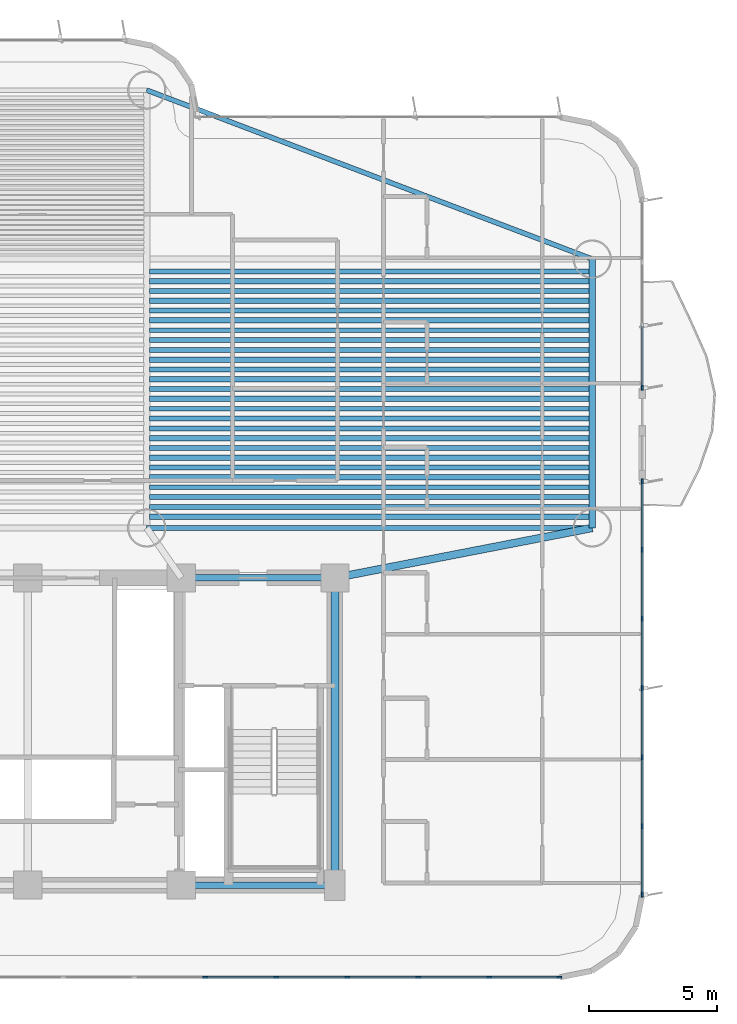
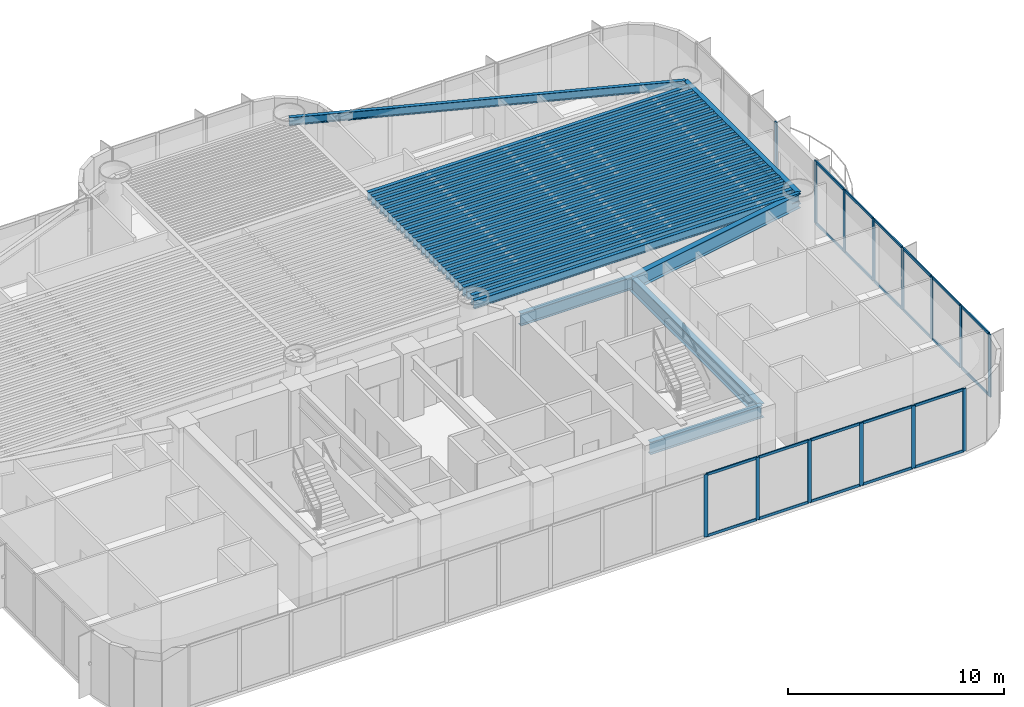
# One storey, part 5 of 19: 37 members, 33 beams, 3 elements without a shape of their own.
"""IFC4 building model written with IfcOpenShell, lengths in metres."""

import ifcopenshell
import ifcopenshell.guid

model = None  # the IFC model being written
_history = None  # IfcOwnerHistory: only IFC2X3 demands one
_inside = {}  # id of a spatial element -> (the spatial element, [elements in it])
_under = {}  # id of a project, library or spatial element -> (it, [spatial elements below it])
_declared = {}  # id of a project -> (the project, [libraries it declares])
_typed = {}  # id of a type object -> (the type object, [elements of that type])
_made_of = {}  # id of a material, layer set ... -> (it, [elements and type objects made of it])


def new_model(schema):
    """Start an empty IFC model of exactly this schema.

    Asked for "IFC4X3", IfcOpenShell would pick the latest addendum, in which some entities
    have other attributes; the version numbers below select the first issue.
    IFC2X3 requires an IfcOwnerHistory on every rooted entity: one is made here for all.
    """
    global model, _history
    if schema == "IFC4X3":
        model = ifcopenshell.file(schema_version=(4, 3, 0, 0))
    else:
        model = ifcopenshell.file(schema=schema)
    _inside.clear()
    _under.clear()
    _declared.clear()
    _typed.clear()
    _made_of.clear()
    _history = None
    if model.schema == "IFC2X3":
        org = make("IfcOrganization", Name="unknown")
        user = make(
            "IfcPersonAndOrganization",
            ThePerson=make("IfcPerson", FamilyName="unknown"),
            TheOrganization=org,
        )
        app = make(
            "IfcApplication",
            ApplicationDeveloper=org,
            Version="unknown",
            ApplicationFullName="unknown",
            ApplicationIdentifier="unknown",
        )
        _history = make(
            "IfcOwnerHistory",
            OwningUser=user,
            OwningApplication=app,
            ChangeAction="ADDED",
            CreationDate=0,
        )
    return model


def make(cls, **values):
    """One entity of the class cls with the attributes given. An attribute that is None is left unset."""
    return model.create_entity(
        cls, **{name: value for name, value in values.items() if value is not None}
    )


def rooted(cls, **values):
    """An entity with a GlobalId (a new one), such as an element, a storey or a relation."""
    return make(cls, GlobalId=ifcopenshell.guid.new(), OwnerHistory=_history, **values)


def si_unit(unit_type, name, prefix=None):
    """IfcSIUnit, for example si_unit("LENGTHUNIT", "METRE", prefix="MILLI")."""
    return make("IfcSIUnit", UnitType=unit_type, Prefix=prefix, Name=name)


def assignment(units):
    """IfcUnitAssignment: the units of a project."""
    return None if units is None else make("IfcUnitAssignment", Units=units)


def point(xyz):
    """IfcCartesianPoint."""
    return None if xyz is None else make("IfcCartesianPoint", Coordinates=xyz)


def direction(xyz):
    """IfcDirection."""
    return None if xyz is None else make("IfcDirection", DirectionRatios=xyz)


def frame(location, z_axis=None, x_axis=None):
    """IfcAxis2Placement3D, a coordinate frame: its origin and axes. An axis left out is left unset."""
    return make(
        "IfcAxis2Placement3D",
        Location=point(location),
        Axis=direction(z_axis),
        RefDirection=direction(x_axis),
    )


def frame_2d(location, x_axis=None):
    """IfcAxis2Placement2D, a coordinate frame in the plane: its origin and x axis."""
    return make(
        "IfcAxis2Placement2D", Location=point(location), RefDirection=direction(x_axis)
    )


def origin():
    """The frame at (0, 0, 0) with its axes left unset."""
    return frame((0.0, 0.0, 0.0))


def origin_2d():
    """The frame at (0, 0) in the plane with its x axis left unset."""
    return frame_2d((0.0, 0.0))


def place(relative_to, where):
    """IfcLocalPlacement: puts the frame where relative to a parent placement (None: the world)."""
    return make(
        "IfcLocalPlacement", PlacementRelTo=relative_to, RelativePlacement=where
    )


def context(
    kind, dimensions, precision=None, world=None, true_north=None, identifier=None
):
    """IfcGeometricRepresentationContext, for example the 3D "Model" context."""
    return make(
        "IfcGeometricRepresentationContext",
        ContextIdentifier=identifier,
        ContextType=kind,
        CoordinateSpaceDimension=dimensions,
        Precision=precision,
        WorldCoordinateSystem=world,
        TrueNorth=true_north,
    )


def subcontext(parent, identifier, kind, view, scale=None):
    """IfcGeometricRepresentationSubContext, for example "Body" below "Model"."""
    return make(
        "IfcGeometricRepresentationSubContext",
        ContextIdentifier=identifier,
        ContextType=kind,
        ParentContext=parent,
        TargetScale=scale,
        TargetView=view,
    )


def project(units=None, contexts=None):
    """IfcProject with its units and contexts."""
    return rooted(
        "IfcProject",
        Name="project",
        RepresentationContexts=contexts,
        UnitsInContext=assignment(units),
    )


def spatial(cls, under=None, at=None, **own):
    """A site, building, storey or space (cls), placed at a placement, below another one or the project."""
    s = rooted(cls, ObjectPlacement=at, **own)
    if under is not None:
        _under.setdefault(under.id(), (under, []))[1].append(s)
    return s


def profile(cls, at=None, kind="AREA", **sizes):
    """A parametric profile (cls). Its sizes go by their IFC names, for example OverallWidth=200.0."""
    return make(cls, ProfileType=kind, Position=at, **sizes)


def rectangle(**sizes):
    """IfcRectangleProfileDef."""
    return profile("IfcRectangleProfileDef", **sizes)


def i_section(**sizes):
    """IfcIShapeProfileDef."""
    return profile("IfcIShapeProfileDef", **sizes)


def extrude(swept, where, along, depth):
    """IfcExtrudedAreaSolid: the profile swept, set in the frame where, extruded along a direction by depth."""
    return make(
        "IfcExtrudedAreaSolid",
        SweptArea=swept,
        Position=where,
        ExtrudedDirection=direction(along),
        Depth=depth,
    )


def shape(context_of_items, identifier, shape_type, items):
    """IfcShapeRepresentation: the items that make up one representation, for example the "Body"."""
    return make(
        "IfcShapeRepresentation",
        ContextOfItems=context_of_items,
        RepresentationIdentifier=identifier,
        RepresentationType=shape_type,
        Items=items,
    )


def source(mapping_origin, context_of_items, identifier, shape_type, items):
    """IfcRepresentationMap: a shape defined once, which mapped items show again and again."""
    return make(
        "IfcRepresentationMap",
        MappingOrigin=mapping_origin,
        MappedRepresentation=shape(context_of_items, identifier, shape_type, items),
    )


def transform(
    local_origin,
    x_axis=None,
    y_axis=None,
    z_axis=None,
    scale=None,
    scale2=None,
    scale3=None,
    uniform=True,
):
    """IfcCartesianTransformationOperator3D, or its non-uniform kind. x_axis, y_axis, z_axis: its Axis1, 2, 3."""
    if uniform:
        return make(
            "IfcCartesianTransformationOperator3D",
            Axis1=direction(x_axis),
            Axis2=direction(y_axis),
            LocalOrigin=point(local_origin),
            Scale=scale,
            Axis3=direction(z_axis),
        )
    return make(
        "IfcCartesianTransformationOperator3DnonUniform",
        Axis1=direction(x_axis),
        Axis2=direction(y_axis),
        LocalOrigin=point(local_origin),
        Scale=scale,
        Axis3=direction(z_axis),
        Scale2=scale2,
        Scale3=scale3,
    )


def mapped(mapping_source, mapping_target):
    """IfcMappedItem: shows the shape of a source again, moved by a transform."""
    return make(
        "IfcMappedItem", MappingSource=mapping_source, MappingTarget=mapping_target
    )


def material(Name=None, Category=None):
    """IfcMaterial."""
    return make("IfcMaterial", Name=Name, Category=Category)


def layer(
    of_material, thickness, ventilated=None, Name=None, Category=None, Priority=None
):
    """IfcMaterialLayer: one layer of a wall or slab, of a material (None: an air gap)."""
    return make(
        "IfcMaterialLayer",
        Material=of_material,
        LayerThickness=thickness,
        IsVentilated=ventilated,
        Name=Name,
        Category=Category,
        Priority=Priority,
    )


def layer_set(layers, Name=None):
    """IfcMaterialLayerSet."""
    return make("IfcMaterialLayerSet", MaterialLayers=layers, LayerSetName=Name)


def material_profile(
    of_material, cross_section, Name=None, Category=None, Priority=None
):
    """IfcMaterialProfile: a cross section and its material."""
    return make(
        "IfcMaterialProfile",
        Name=Name,
        Material=of_material,
        Profile=cross_section,
        Priority=Priority,
        Category=Category,
    )


def profile_set(profiles, Name=None, composite=None):
    """IfcMaterialProfileSet."""
    return make(
        "IfcMaterialProfileSet",
        Name=Name,
        MaterialProfiles=profiles,
        CompositeProfile=composite,
    )


def made_of(thing, what):
    """Note that an element or type object is made of a material, layer set ...; save() writes the relation."""
    if what is not None:
        _made_of.setdefault(what.id(), (what, []))[1].append(thing)
    return thing


def type_object(cls, material=None, **own):
    """A type object (cls), such as IfcWallType, which elements share."""
    return made_of(rooted(cls, **own), material)


def element(
    cls,
    number,
    at=None,
    inside=None,
    cuts=None,
    type_object=None,
    material=None,
    context=None,
    identifier="Body",
    shape_type=None,
    held_by="IfcProductDefinitionShape",
    body=None,
    shapes=None,
    **own,
):
    """One element of the class cls, such as IfcWall. Its Tag is "e" and its number.

    at: its placement. inside: the storey or other place that contains it. cuts: it is an
    opening in that element (IfcRelVoidsElement). A single representation is given by context,
    identifier, shape_type and body (its items); several are given by shapes. held_by: the class
    of the entity that holds the representations. save() writes the other relations.
    """
    e = rooted(cls, Tag="e%d" % number, ObjectPlacement=at, **own)
    if body is not None:
        shapes = [shape(context, identifier, shape_type, body)]
    if shapes is not None:
        e.Representation = make(held_by, Representations=shapes)
    if inside is not None:
        _inside.setdefault(inside.id(), (inside, []))[1].append(e)
    if cuts is not None:
        rooted(
            "IfcRelVoidsElement", RelatingBuildingElement=cuts, RelatedOpeningElement=e
        )
    if type_object is not None:
        _typed.setdefault(type_object.id(), (type_object, []))[1].append(e)
    return made_of(e, material)


def aggregate(whole, parts):
    """IfcRelAggregates: a whole, such as a stair, and the parts it consists of."""
    return rooted("IfcRelAggregates", RelatingObject=whole, RelatedObjects=parts)


def save(model, path):
    """Write the relations noted so far, then the file.

    IfcRelAggregates (storeys below a building ...), IfcRelContainedInSpatialStructure (elements
    in a storey), IfcRelDefinesByType, IfcRelAssociatesMaterial and IfcRelDeclares: one each for
    every whole, place, type object, material and project.
    """
    for whole, parts in _under.values():
        aggregate(whole, parts)
    for where, things in _inside.values():
        rooted(
            "IfcRelContainedInSpatialStructure",
            RelatedElements=things,
            RelatingStructure=where,
        )
    for kind, things in _typed.values():
        rooted("IfcRelDefinesByType", RelatedObjects=things, RelatingType=kind)
    for what, things in _made_of.values():
        rooted("IfcRelAssociatesMaterial", RelatedObjects=things, RelatingMaterial=what)
    for by, libraries in _declared.values():
        rooted("IfcRelDeclares", RelatingContext=by, RelatedDefinitions=libraries)
    model.write(path)


model = new_model("IFC4")

# Units and contexts
model_context = context("Model", 3, precision=1e-05, world=origin(), true_north=direction((0.0, 1.0)))
body_context = subcontext(model_context, "Body", "Model", "MODEL_VIEW")
ifc_project = project(units=[si_unit("LENGTHUNIT", "METRE"), si_unit("AREAUNIT", "SQUARE_METRE"), si_unit("VOLUMEUNIT", "CUBIC_METRE"), si_unit("PLANEANGLEUNIT", "RADIAN"), si_unit("MASSUNIT", "GRAM", prefix="KILO")], contexts=[model_context])

# Site, building, storey
site_placement = place(None, origin())
site = spatial("IfcSite", under=ifc_project, at=site_placement, CompositionType="ELEMENT")
building_placement = place(site_placement, origin())
building = spatial("IfcBuilding", under=site, at=building_placement, Name="Brelvock Crest Care Tower", CompositionType="ELEMENT")
storey_placement = place(building_placement, frame((0.0, 0.0, 64.800048828125)))
storey = spatial("IfcBuildingStorey", under=building, at=storey_placement, Name="L16", CompositionType="ELEMENT", Elevation=64.800048828125)

# Beams
ifc_material_1 = material(Name="Steel Grade 350", Category="steel")
ifc_material_profile_1 = material_profile(ifc_material_1, i_section(OverallWidth=0.25, OverallDepth=0.699951171875, WebThickness=0.011962890625, FlangeThickness=0.02001953125, at=origin_2d()), Name="700WB150")
ifc_profile_set_1 = profile_set([ifc_material_profile_1], Name="Steel Grade 350")
beam_type_1 = type_object("IfcBeamType", Name="BM-G4", PredefinedType="BEAM", material=ifc_profile_set_1)
shared_shape_1 = source(origin(), body_context, "Body", "SweptSolid", [
    extrude(i_section(OverallWidth=0.25, OverallDepth=0.699951171875, WebThickness=0.011962890625, FlangeThickness=0.02001953125, at=origin_2d()), origin(), (0.0, 0.0, 1.0), 6.0),
])
for number, where, z_axis, x_axis, name in (
    (1, (42.0, 6.0, 3.179931640625), (1.0, 0.0, 0.0), (0.0, 1.0, 0.0), "BM-CORES-L16-4"),
    (2, (42.0, 18.0, 3.179931640625), (1.0, 0.0, 0.0), (0.0, 1.0, 0.0), "BM-COREN-L16-4"),
):
    element("IfcBeam", number, at=place(storey_placement, frame(where, z_axis=z_axis, x_axis=x_axis)), inside=storey, type_object=beam_type_1, Name=name, PredefinedType="BEAM", context=body_context, shape_type="MappedRepresentation", body=[
        mapped(shared_shape_1, transform((0.0, 0.0, 0.0), x_axis=(1.0, 0.0, 0.0), y_axis=(0.0, 1.0, 0.0), z_axis=(0.0, 0.0, 1.0), scale=1.0)),
    ])
ifc_material_profile_2 = material_profile(ifc_material_1, i_section(OverallWidth=0.300048828125, OverallDepth=0.800048828125, WebThickness=0.013916015625, FlangeThickness=0.02197265625, at=origin_2d()), Name="800WB192")
ifc_profile_set_2 = profile_set([ifc_material_profile_2], Name="Steel Grade 350")
beam_type_2 = type_object("IfcBeamType", Name="BM-G5", PredefinedType="BEAM", material=ifc_profile_set_2)
shared_shape_2 = source(origin(), body_context, "Body", "SweptSolid", [
    extrude(i_section(OverallWidth=0.300048828125, OverallDepth=0.800048828125, WebThickness=0.013916015625, FlangeThickness=0.02197265625, at=origin_2d()), origin(), (0.0, 0.0, 1.0), 12.0),
])
beam_1_placement = place(storey_placement, frame((48.0, 6.0, 3.1298828125), z_axis=(0.0, 1.0, 0.0), x_axis=(-1.0, 0.0, 0.0)))
element("IfcBeam", 3, at=beam_1_placement, inside=storey, type_object=beam_type_2, Name="BM-COREX-L16-5", PredefinedType="BEAM", context=body_context, shape_type="MappedRepresentation", body=[
    mapped(shared_shape_2, transform((0.0, 0.0, 0.0), x_axis=(1.0, 0.0, 0.0), y_axis=(0.0, 1.0, 0.0), z_axis=(0.0, 0.0, 1.0), scale=1.0)),
])
shared_shape_3 = source(origin(), body_context, "Body", "SweptSolid", [
    extrude(i_section(OverallWidth=0.25, OverallDepth=0.699951171875, WebThickness=0.011962890625, FlangeThickness=0.02001953125, at=origin_2d()), origin(), (0.0, 0.0, 1.0), 10.5),
])
beam_2_placement = place(storey_placement, frame((58.050048828125, 19.949951171875, 3.179931640625), z_axis=(0.0, 1.0, 0.0), x_axis=(-1.0, 0.0, 0.0)))
element("IfcBeam", 4, at=beam_2_placement, inside=storey, type_object=beam_type_1, Name="BM-TWR-L16-02", PredefinedType="BEAM", context=body_context, shape_type="MappedRepresentation", body=[
    mapped(shared_shape_3, transform((0.0, 0.0, 0.0), x_axis=(1.0, 0.0, 0.0), y_axis=(0.0, 1.0, 0.0), z_axis=(0.0, 0.0, 1.0), scale=1.0)),
])
ifc_material_profile_3 = material_profile(ifc_material_1, i_section(OverallWidth=0.19091796875, OverallDepth=0.4599609375, WebThickness=0.010009765625, FlangeThickness=0.01611328125, FilletRadius=0.011474609375, at=origin_2d()), Name="460UB82.1")
ifc_profile_set_3 = profile_set([ifc_material_profile_3], Name="Steel Grade 350")
beam_type_3 = type_object("IfcBeamType", Name="BM-SP2", PredefinedType="SPANDREL", material=ifc_profile_set_3)
shared_shape_4 = source(origin(), body_context, "Body", "SweptSolid", [
    extrude(i_section(OverallWidth=0.19091796875, OverallDepth=0.4599609375, WebThickness=0.010009765625, FlangeThickness=0.01611328125, FilletRadius=0.011474609375, at=origin_2d()), origin(), (0.0, 0.0, 1.0), 17.400146484375),
])
beam_3_placement = place(storey_placement, frame((40.64990234375, 19.949951171875, 3.300048828125), z_axis=(1.0, 0.0, 0.0), x_axis=(0.0, 1.0, 0.0)))
element("IfcBeam", 5, at=beam_3_placement, inside=storey, type_object=beam_type_3, Name="BM-TWR-L16-04", PredefinedType="SPANDREL", context=body_context, shape_type="MappedRepresentation", body=[
    mapped(shared_shape_4, transform((0.0, 0.0, 0.0), x_axis=(1.0, 0.0, 0.0), y_axis=(0.0, 1.0, 0.0), z_axis=(0.0, 0.0, 1.0), scale=1.0)),
])
shared_shape_5 = source(origin(), body_context, "Body", "SweptSolid", [
    extrude(i_section(OverallWidth=0.19091796875, OverallDepth=0.4599609375, WebThickness=0.010009765625, FlangeThickness=0.01611328125, FilletRadius=0.011474609375, at=origin_2d()), origin(), (0.0, 0.0, 1.0), 18.60986328125),
])
beam_4_placement = place(storey_placement, frame((40.64990234375, 37.050048828125, 3.300048828125), z_axis=(0.934996776275, -0.3546562115, 0.0), x_axis=(0.3546562115, 0.934996776275, 0.0)))
element("IfcBeam", 6, at=beam_4_placement, inside=storey, type_object=beam_type_3, Name="BM-TWR-L16-07", PredefinedType="SPANDREL", context=body_context, shape_type="MappedRepresentation", body=[
    mapped(shared_shape_5, transform((0.0, 0.0, 0.0), x_axis=(1.0, 0.0, 0.0), y_axis=(0.0, 1.0, 0.0), z_axis=(0.0, 0.0, 1.0), scale=1.0)),
])
shared_shape_6 = source(origin(), body_context, "Body", "SweptSolid", [
    extrude(i_section(OverallWidth=0.300048828125, OverallDepth=0.800048828125, WebThickness=0.013916015625, FlangeThickness=0.02197265625, at=origin_2d()), origin(), (0.0, 0.0, 1.0), 10.237548828125),
])
beam_5_placement = place(storey_placement, frame((48.0, 18.0, 3.1298828125), z_axis=(0.981692632568, 0.190471979991, 0.0), x_axis=(-0.190471979991, 0.981692632568, 0.0)))
element("IfcBeam", 7, at=beam_5_placement, inside=storey, type_object=beam_type_2, Name="BM-THRO-E-L16", PredefinedType="BEAM", context=body_context, shape_type="MappedRepresentation", body=[
    mapped(shared_shape_6, transform((0.0, 0.0, 0.0), x_axis=(1.0, 0.0, 0.0), y_axis=(0.0, 1.0, 0.0), z_axis=(0.0, 0.0, 1.0), scale=1.0)),
])
ifc_material_profile_4 = material_profile(ifc_material_1, i_section(OverallWidth=0.208984375, OverallDepth=0.532958984375, WebThickness=0.01025390625, FlangeThickness=0.015625, FilletRadius=0.013916015625, at=origin_2d()), Name="530UB92.4")
ifc_profile_set_4 = profile_set([ifc_material_profile_4], Name="Steel Grade 350")
beam_type_4 = type_object("IfcBeamType", Name="BM-G2", PredefinedType="BEAM", material=ifc_profile_set_4)
shared_shape_7 = source(origin(), body_context, "Body", "SweptSolid", [
    extrude(i_section(OverallWidth=0.208984375, OverallDepth=0.532958984375, WebThickness=0.01025390625, FlangeThickness=0.015625, FilletRadius=0.013916015625, at=origin_2d()), origin(), (0.0, 0.0, 1.0), 17.170166015625),
])
for number, where, z_axis, x_axis, name in (
    (8, (40.764892578125, 20.39111328125, 3.263427734375), (1.0, 0.0, 0.0), (0.0, 1.0, 0.0), "BM-JE-L16-1"),
    (9, (40.764892578125, 21.157470703125, 3.263427734375), (1.0, 0.0, 0.0), (0.0, 1.0, 0.0), "BM-JE-L16-3"),
    (10, (40.764892578125, 21.924072265625, 3.263427734375), (1.0, 0.0, 0.0), (0.0, 1.0, 0.0), "BM-JE-L16-5"),
    (11, (40.764892578125, 22.6904296875, 3.263427734375), (1.0, 0.0, 0.0), (0.0, 1.0, 0.0), "BM-JE-L16-7"),
    (12, (40.764892578125, 23.45703125, 3.263427734375), (1.0, 0.0, 0.0), (0.0, 1.0, 0.0), "BM-JE-L16-9"),
    (13, (40.764892578125, 24.223388671875, 3.263427734375), (1.0, 0.0, 0.0), (0.0, 1.0, 0.0), "BM-JE-L16-11"),
    (14, (40.764892578125, 24.989990234375, 3.263427734375), (1.0, 0.0, 0.0), (0.0, 1.0, 0.0), "BM-JE-L16-13"),
    (15, (40.764892578125, 25.756591796875, 3.263427734375), (1.0, 0.0, 0.0), (0.0, 1.0, 0.0), "BM-JE-L16-15"),
    (16, (40.764892578125, 26.52294921875, 3.263427734375), (1.0, 0.0, 0.0), (0.0, 1.0, 0.0), "BM-JE-L16-17"),
    (17, (40.764892578125, 27.28955078125, 3.263427734375), (1.0, 0.0, 0.0), (0.0, 1.0, 0.0), "BM-JE-L16-19"),
    (18, (40.764892578125, 28.055908203125, 3.263427734375), (1.0, 0.0, 0.0), (0.0, 1.0, 0.0), "BM-JE-L16-21"),
    (19, (40.764892578125, 28.822509765625, 3.263427734375), (1.0, 0.0, 0.0), (0.0, 1.0, 0.0), "BM-JE-L16-23"),
    (20, (40.764892578125, 29.589111328125, 3.263427734375), (1.0, 0.0, 0.0), (0.0, 1.0, 0.0), "BM-JE-L16-25"),
):
    element("IfcBeam", number, at=place(storey_placement, frame(where, z_axis=z_axis, x_axis=x_axis)), inside=storey, type_object=beam_type_4, Name=name, PredefinedType="BEAM", context=body_context, shape_type="MappedRepresentation", body=[
        mapped(shared_shape_7, transform((0.0, 0.0, 0.0), x_axis=(1.0, 0.0, 0.0), y_axis=(0.0, 1.0, 0.0), z_axis=(0.0, 0.0, 1.0), scale=1.0)),
    ])
ifc_material_profile_5 = material_profile(ifc_material_1, i_section(OverallWidth=0.19091796875, OverallDepth=0.4599609375, WebThickness=0.010009765625, FlangeThickness=0.01611328125, FilletRadius=0.011474609375, at=origin_2d()), Name="460UB82.1")
ifc_profile_set_5 = profile_set([ifc_material_profile_5], Name="Steel Grade 350")
beam_type_5 = type_object("IfcBeamType", Name="BM-G3", PredefinedType="BEAM", material=ifc_profile_set_5)
shared_shape_8 = source(origin(), body_context, "Body", "SweptSolid", [
    extrude(i_section(OverallWidth=0.19091796875, OverallDepth=0.4599609375, WebThickness=0.010009765625, FlangeThickness=0.01611328125, FilletRadius=0.011474609375, at=origin_2d()), origin(), (0.0, 0.0, 1.0), 17.170166015625),
])
for number, where, z_axis, x_axis, name in (
    (21, (40.764892578125, 20.774169921875, 3.300048828125), (1.0, 0.0, 0.0), (0.0, 1.0, 0.0), "BM-JE-L16-2"),
    (22, (40.764892578125, 21.540771484375, 3.300048828125), (1.0, 0.0, 0.0), (0.0, 1.0, 0.0), "BM-JE-L16-4"),
    (23, (40.764892578125, 22.30712890625, 3.300048828125), (1.0, 0.0, 0.0), (0.0, 1.0, 0.0), "BM-JE-L16-6"),
    (24, (40.764892578125, 23.07373046875, 3.300048828125), (1.0, 0.0, 0.0), (0.0, 1.0, 0.0), "BM-JE-L16-8"),
    (25, (40.764892578125, 23.840087890625, 3.300048828125), (1.0, 0.0, 0.0), (0.0, 1.0, 0.0), "BM-JE-L16-10"),
    (26, (40.764892578125, 24.606689453125, 3.300048828125), (1.0, 0.0, 0.0), (0.0, 1.0, 0.0), "BM-JE-L16-12"),
    (27, (40.764892578125, 25.373291015625, 3.300048828125), (1.0, 0.0, 0.0), (0.0, 1.0, 0.0), "BM-JE-L16-14"),
    (28, (40.764892578125, 26.1396484375, 3.300048828125), (1.0, 0.0, 0.0), (0.0, 1.0, 0.0), "BM-JE-L16-16"),
    (29, (40.764892578125, 26.90625, 3.300048828125), (1.0, 0.0, 0.0), (0.0, 1.0, 0.0), "BM-JE-L16-18"),
    (30, (40.764892578125, 27.6728515625, 3.300048828125), (1.0, 0.0, 0.0), (0.0, 1.0, 0.0), "BM-JE-L16-20"),
    (31, (40.764892578125, 28.439208984375, 3.300048828125), (1.0, 0.0, 0.0), (0.0, 1.0, 0.0), "BM-JE-L16-22"),
    (32, (40.764892578125, 29.205810546875, 3.300048828125), (1.0, 0.0, 0.0), (0.0, 1.0, 0.0), "BM-JE-L16-24"),
    (33, (40.764892578125, 29.97216796875, 3.300048828125), (1.0, 0.0, 0.0), (0.0, 1.0, 0.0), "BM-JE-L16-26"),
):
    element("IfcBeam", number, at=place(storey_placement, frame(where, z_axis=z_axis, x_axis=x_axis)), inside=storey, type_object=beam_type_5, Name=name, PredefinedType="BEAM", context=body_context, shape_type="MappedRepresentation", body=[
        mapped(shared_shape_8, transform((0.0, 0.0, 0.0), x_axis=(1.0, 0.0, 0.0), y_axis=(0.0, 1.0, 0.0), z_axis=(0.0, 0.0, 1.0), scale=1.0)),
    ])

# Curtain wall, member
ifc_material_2 = material(Name="Dark Glass Double Glazed Low-E", Category="glass")
ifc_layer = layer(ifc_material_2, 0.195068359375, Name="CWS-2")
ifc_layer_set = layer_set([ifc_layer], Name="Dark Glass Double Glazed Low-E")
curtain_wall_type = type_object("IfcCurtainWallType", Name="CWS-2", PredefinedType="NOTDEFINED", material=ifc_layer_set)
curtain_wall_1_placement = place(storey_placement, origin())
curtain_wall_1 = element("IfcCurtainWall", 34, at=curtain_wall_1_placement, inside=storey, type_object=curtain_wall_type, Name="L16 Curtain Wall E03A", PredefinedType="NOTDEFINED")
ifc_material_3 = material(Name="Aluminium 6063-T6", Category="aluminium")
ifc_material_profile_6 = material_profile(ifc_material_3, rectangle(XDim=0.06494140625, YDim=0.199951171875, at=origin_2d()), Name="ALU65x200")
ifc_profile_set_6 = profile_set([ifc_material_profile_6], Name="Aluminium 6063-T6")
member_type_1 = type_object("IfcMemberType", Name="CWM-1", PredefinedType="MULLION", material=ifc_profile_set_6)
shared_shape_9 = source(origin(), body_context, "Body", "SweptSolid", [
    extrude(rectangle(XDim=0.06494140625, YDim=0.199951171875, at=origin_2d()), origin(), (0.0, 0.0, 1.0), 3.530029296875),
])
member_1_placement = place(storey_placement, frame((60.0, 25.4326171875, 0.0), z_axis=(0.0, 0.0, 1.0), x_axis=(1.0, 0.0, 0.0)))
member_1 = element("IfcMember", 35, at=member_1_placement, type_object=member_type_1, Name="CW-2 mullion 4", PredefinedType="MULLION", context=body_context, shape_type="MappedRepresentation", body=[
    mapped(shared_shape_9, transform((0.0, 0.0, 0.0), x_axis=(1.0, 0.0, 0.0), y_axis=(0.0, 1.0, 0.0), z_axis=(0.0, 0.0, 1.0), scale=1.0)),
])

# Curtain wall, members
curtain_wall_2_placement = place(storey_placement, origin())
curtain_wall_2 = element("IfcCurtainWall", 36, at=curtain_wall_2_placement, inside=storey, type_object=curtain_wall_type, Name="L16 Curtain Wall E03B", PredefinedType="NOTDEFINED")
member_2_placement = place(storey_placement, frame((60.0, 21.767578125, 0.0), z_axis=(0.0, 0.0, 1.0), x_axis=(1.0, 0.0, 0.0)))
member_2 = element("IfcMember", 37, at=member_2_placement, type_object=member_type_1, Name="CW-2 mullion 1", PredefinedType="MULLION", context=body_context, shape_type="MappedRepresentation", body=[
    mapped(shared_shape_9, transform((0.0, 0.0, 0.0), x_axis=(1.0, 0.0, 0.0), y_axis=(0.0, 1.0, 0.0), z_axis=(0.0, 0.0, 1.0), scale=1.0)),
])
member_3_placement = place(storey_placement, frame((60.0, 19.10009765625, 0.0), z_axis=(0.0, 0.0, 1.0), x_axis=(1.0, 0.0, 0.0)))
member_3 = element("IfcMember", 38, at=member_3_placement, type_object=member_type_1, Name="CW-2 mullion 2", PredefinedType="MULLION", context=body_context, shape_type="MappedRepresentation", body=[
    mapped(shared_shape_9, transform((0.0, 0.0, 0.0), x_axis=(1.0, 0.0, 0.0), y_axis=(0.0, 1.0, 0.0), z_axis=(0.0, 0.0, 1.0), scale=1.0)),
])
member_4_placement = place(storey_placement, frame((60.0, 16.39990234375, 0.0), z_axis=(0.0, 0.0, 1.0), x_axis=(1.0, 0.0, 0.0)))
member_4 = element("IfcMember", 39, at=member_4_placement, type_object=member_type_1, Name="CW-2 mullion 3", PredefinedType="MULLION", context=body_context, shape_type="MappedRepresentation", body=[
    mapped(shared_shape_9, transform((0.0, 0.0, 0.0), x_axis=(1.0, 0.0, 0.0), y_axis=(0.0, 1.0, 0.0), z_axis=(0.0, 0.0, 1.0), scale=1.0)),
])
member_5_placement = place(storey_placement, frame((60.0, 13.699951171875, 0.0), z_axis=(0.0, 0.0, 1.0), x_axis=(1.0, 0.0, 0.0)))
member_5 = element("IfcMember", 40, at=member_5_placement, type_object=member_type_1, Name="CW-2 mullion 4", PredefinedType="MULLION", context=body_context, shape_type="MappedRepresentation", body=[
    mapped(shared_shape_9, transform((0.0, 0.0, 0.0), x_axis=(1.0, 0.0, 0.0), y_axis=(0.0, 1.0, 0.0), z_axis=(0.0, 0.0, 1.0), scale=1.0)),
])
member_6_placement = place(storey_placement, frame((60.0, 11.0, 0.0), z_axis=(0.0, 0.0, 1.0), x_axis=(1.0, 0.0, 0.0)))
member_6 = element("IfcMember", 41, at=member_6_placement, type_object=member_type_1, Name="CW-2 mullion 5", PredefinedType="MULLION", context=body_context, shape_type="MappedRepresentation", body=[
    mapped(shared_shape_9, transform((0.0, 0.0, 0.0), x_axis=(1.0, 0.0, 0.0), y_axis=(0.0, 1.0, 0.0), z_axis=(0.0, 0.0, 1.0), scale=1.0)),
])
member_7_placement = place(storey_placement, frame((60.0, 8.300048828125, 0.0), z_axis=(0.0, 0.0, 1.0), x_axis=(1.0, 0.0, 0.0)))
member_7 = element("IfcMember", 42, at=member_7_placement, type_object=member_type_1, Name="CW-2 mullion 6", PredefinedType="MULLION", context=body_context, shape_type="MappedRepresentation", body=[
    mapped(shared_shape_9, transform((0.0, 0.0, 0.0), x_axis=(1.0, 0.0, 0.0), y_axis=(0.0, 1.0, 0.0), z_axis=(0.0, 0.0, 1.0), scale=1.0)),
])
member_8_placement = place(storey_placement, frame((60.0, 5.632568359375, 0.0), z_axis=(0.0, 0.0, 1.0), x_axis=(1.0, 0.0, 0.0)))
member_8 = element("IfcMember", 43, at=member_8_placement, type_object=member_type_1, Name="CW-2 mullion 7", PredefinedType="MULLION", context=body_context, shape_type="MappedRepresentation", body=[
    mapped(shared_shape_9, transform((0.0, 0.0, 0.0), x_axis=(1.0, 0.0, 0.0), y_axis=(0.0, 1.0, 0.0), z_axis=(0.0, 0.0, 1.0), scale=1.0)),
])

curtain_wall_3_placement = place(storey_placement, origin())
curtain_wall_3 = element("IfcCurtainWall", 44, at=curtain_wall_3_placement, inside=storey, type_object=curtain_wall_type, Name="L16 Curtain Wall E08", PredefinedType="NOTDEFINED")
member_9_placement = place(storey_placement, frame((56.767578125, 2.39990234375, 0.0), z_axis=(0.0, 0.0, 1.0), x_axis=(0.0, -1.0, 0.0)))
member_9 = element("IfcMember", 45, at=member_9_placement, type_object=member_type_1, Name="CW-2 mullion 1", PredefinedType="MULLION", context=body_context, shape_type="MappedRepresentation", body=[
    mapped(shared_shape_9, transform((0.0, 0.0, 0.0), x_axis=(1.0, 0.0, 0.0), y_axis=(0.0, 1.0, 0.0), z_axis=(0.0, 0.0, 1.0), scale=1.0)),
])
member_10_placement = place(storey_placement, frame((54.026611328125, 2.39990234375, 0.0), z_axis=(0.0, 0.0, 1.0), x_axis=(0.0, -1.0, 0.0)))
member_10 = element("IfcMember", 46, at=member_10_placement, type_object=member_type_1, Name="CW-2 mullion 2", PredefinedType="MULLION", context=body_context, shape_type="MappedRepresentation", body=[
    mapped(shared_shape_9, transform((0.0, 0.0, 0.0), x_axis=(1.0, 0.0, 0.0), y_axis=(0.0, 1.0, 0.0), z_axis=(0.0, 0.0, 1.0), scale=1.0)),
])
member_11_placement = place(storey_placement, frame((51.25341796875, 2.39990234375, 0.0), z_axis=(0.0, 0.0, 1.0), x_axis=(0.0, -1.0, 0.0)))
member_11 = element("IfcMember", 47, at=member_11_placement, type_object=member_type_1, Name="CW-2 mullion 3", PredefinedType="MULLION", context=body_context, shape_type="MappedRepresentation", body=[
    mapped(shared_shape_9, transform((0.0, 0.0, 0.0), x_axis=(1.0, 0.0, 0.0), y_axis=(0.0, 1.0, 0.0), z_axis=(0.0, 0.0, 1.0), scale=1.0)),
])
member_12_placement = place(storey_placement, frame((48.47998046875, 2.39990234375, 0.0), z_axis=(0.0, 0.0, 1.0), x_axis=(0.0, -1.0, 0.0)))
member_12 = element("IfcMember", 48, at=member_12_placement, type_object=member_type_1, Name="CW-2 mullion 4", PredefinedType="MULLION", context=body_context, shape_type="MappedRepresentation", body=[
    mapped(shared_shape_9, transform((0.0, 0.0, 0.0), x_axis=(1.0, 0.0, 0.0), y_axis=(0.0, 1.0, 0.0), z_axis=(0.0, 0.0, 1.0), scale=1.0)),
])
member_13_placement = place(storey_placement, frame((45.706787109375, 2.39990234375, 0.0), z_axis=(0.0, 0.0, 1.0), x_axis=(0.0, -1.0, 0.0)))
member_13 = element("IfcMember", 49, at=member_13_placement, type_object=member_type_1, Name="CW-2 mullion 5", PredefinedType="MULLION", context=body_context, shape_type="MappedRepresentation", body=[
    mapped(shared_shape_9, transform((0.0, 0.0, 0.0), x_axis=(1.0, 0.0, 0.0), y_axis=(0.0, 1.0, 0.0), z_axis=(0.0, 0.0, 1.0), scale=1.0)),
])
member_14_placement = place(storey_placement, frame((42.933349609375, 2.39990234375, 0.0), z_axis=(0.0, 0.0, 1.0), x_axis=(0.0, -1.0, 0.0)))
member_14 = element("IfcMember", 50, at=member_14_placement, type_object=member_type_1, Name="CW-2 mullion 6", PredefinedType="MULLION", context=body_context, shape_type="MappedRepresentation", body=[
    mapped(shared_shape_9, transform((0.0, 0.0, 0.0), x_axis=(1.0, 0.0, 0.0), y_axis=(0.0, 1.0, 0.0), z_axis=(0.0, 0.0, 1.0), scale=1.0)),
])
ifc_material_profile_7 = material_profile(ifc_material_3, rectangle(XDim=0.06494140625, YDim=0.14990234375, at=origin_2d()), Name="ALU65x150")
ifc_profile_set_7 = profile_set([ifc_material_profile_7], Name="Aluminium 6063-T6")
member_type_2 = type_object("IfcMemberType", Name="CWT-1", PredefinedType="USERDEFINED", material=ifc_profile_set_7)
shared_shape_10 = source(origin(), body_context, "Body", "SweptSolid", [
    extrude(rectangle(XDim=0.06494140625, YDim=0.14990234375, at=origin_2d()), origin(), (0.0, 0.0, 1.0), 2.676025390625),
])
member_15_placement = place(storey_placement, frame((56.735107421875, 2.39990234375, 0.032470703125), z_axis=(-1.0, 0.0, 0.0), x_axis=(0.0, -1.0, 0.0)))
member_15 = element("IfcMember", 51, at=member_15_placement, type_object=member_type_2, Name="CW-2 transom 1.1", ObjectType="TRANSOM", PredefinedType="USERDEFINED", context=body_context, shape_type="MappedRepresentation", body=[
    mapped(shared_shape_10, transform((0.0, 0.0, 0.0), x_axis=(1.0, 0.0, 0.0), y_axis=(0.0, 1.0, 0.0), z_axis=(0.0, 0.0, 1.0), scale=1.0)),
])
member_16_placement = place(storey_placement, frame((56.735107421875, 2.39990234375, 3.49755859375), z_axis=(-1.0, 0.0, 0.0), x_axis=(0.0, -1.0, 0.0)))
member_16 = element("IfcMember", 52, at=member_16_placement, type_object=member_type_2, Name="CW-2 transom 1.2", ObjectType="TRANSOM", PredefinedType="USERDEFINED", context=body_context, shape_type="MappedRepresentation", body=[
    mapped(shared_shape_10, transform((0.0, 0.0, 0.0), x_axis=(1.0, 0.0, 0.0), y_axis=(0.0, 1.0, 0.0), z_axis=(0.0, 0.0, 1.0), scale=1.0)),
])
shared_shape_11 = source(origin(), body_context, "Body", "SweptSolid", [
    extrude(rectangle(XDim=0.06494140625, YDim=0.14990234375, at=origin_2d()), origin(), (0.0, 0.0, 1.0), 2.708251953125),
])
member_17_placement = place(storey_placement, frame((53.994140625, 2.39990234375, 0.032470703125), z_axis=(-1.0, 0.0, 0.0), x_axis=(0.0, -1.0, 0.0)))
member_17 = element("IfcMember", 53, at=member_17_placement, type_object=member_type_2, Name="CW-2 transom 2.1", ObjectType="TRANSOM", PredefinedType="USERDEFINED", context=body_context, shape_type="MappedRepresentation", body=[
    mapped(shared_shape_11, transform((0.0, 0.0, 0.0), x_axis=(1.0, 0.0, 0.0), y_axis=(0.0, 1.0, 0.0), z_axis=(0.0, 0.0, 1.0), scale=1.0)),
])
member_18_placement = place(storey_placement, frame((53.994140625, 2.39990234375, 3.49755859375), z_axis=(-1.0, 0.0, 0.0), x_axis=(0.0, -1.0, 0.0)))
member_18 = element("IfcMember", 54, at=member_18_placement, type_object=member_type_2, Name="CW-2 transom 2.2", ObjectType="TRANSOM", PredefinedType="USERDEFINED", context=body_context, shape_type="MappedRepresentation", body=[
    mapped(shared_shape_11, transform((0.0, 0.0, 0.0), x_axis=(1.0, 0.0, 0.0), y_axis=(0.0, 1.0, 0.0), z_axis=(0.0, 0.0, 1.0), scale=1.0)),
])
member_19_placement = place(storey_placement, frame((48.447509765625, 2.39990234375, 0.032470703125), z_axis=(-1.0, 0.0, 0.0), x_axis=(0.0, -1.0, 0.0)))
member_19 = element("IfcMember", 55, at=member_19_placement, type_object=member_type_2, Name="CW-2 transom 4.1", ObjectType="TRANSOM", PredefinedType="USERDEFINED", context=body_context, shape_type="MappedRepresentation", body=[
    mapped(shared_shape_11, transform((0.0, 0.0, 0.0), x_axis=(1.0, 0.0, 0.0), y_axis=(0.0, 1.0, 0.0), z_axis=(0.0, 0.0, 1.0), scale=1.0)),
])
member_20_placement = place(storey_placement, frame((48.447509765625, 2.39990234375, 3.49755859375), z_axis=(-1.0, 0.0, 0.0), x_axis=(0.0, -1.0, 0.0)))
member_20 = element("IfcMember", 56, at=member_20_placement, type_object=member_type_2, Name="CW-2 transom 4.2", ObjectType="TRANSOM", PredefinedType="USERDEFINED", context=body_context, shape_type="MappedRepresentation", body=[
    mapped(shared_shape_11, transform((0.0, 0.0, 0.0), x_axis=(1.0, 0.0, 0.0), y_axis=(0.0, 1.0, 0.0), z_axis=(0.0, 0.0, 1.0), scale=1.0)),
])
member_21_placement = place(storey_placement, frame((45.674072265625, 2.39990234375, 0.032470703125), z_axis=(-1.0, 0.0, 0.0), x_axis=(0.0, -1.0, 0.0)))
member_21 = element("IfcMember", 57, at=member_21_placement, type_object=member_type_2, Name="CW-2 transom 5.1", ObjectType="TRANSOM", PredefinedType="USERDEFINED", context=body_context, shape_type="MappedRepresentation", body=[
    mapped(shared_shape_11, transform((0.0, 0.0, 0.0), x_axis=(1.0, 0.0, 0.0), y_axis=(0.0, 1.0, 0.0), z_axis=(0.0, 0.0, 1.0), scale=1.0)),
])
member_22_placement = place(storey_placement, frame((45.674072265625, 2.39990234375, 3.49755859375), z_axis=(-1.0, 0.0, 0.0), x_axis=(0.0, -1.0, 0.0)))
member_22 = element("IfcMember", 58, at=member_22_placement, type_object=member_type_2, Name="CW-2 transom 5.2", ObjectType="TRANSOM", PredefinedType="USERDEFINED", context=body_context, shape_type="MappedRepresentation", body=[
    mapped(shared_shape_11, transform((0.0, 0.0, 0.0), x_axis=(1.0, 0.0, 0.0), y_axis=(0.0, 1.0, 0.0), z_axis=(0.0, 0.0, 1.0), scale=1.0)),
])
shared_shape_12 = source(origin(), body_context, "Body", "SweptSolid", [
    extrude(rectangle(XDim=0.06494140625, YDim=0.14990234375, at=origin_2d()), origin(), (0.0, 0.0, 1.0), 2.70849609375),
])
member_23_placement = place(storey_placement, frame((51.220947265625, 2.39990234375, 0.032470703125), z_axis=(-1.0, 0.0, 0.0), x_axis=(0.0, -1.0, 0.0)))
member_23 = element("IfcMember", 59, at=member_23_placement, type_object=member_type_2, Name="CW-2 transom 3.1", ObjectType="TRANSOM", PredefinedType="USERDEFINED", context=body_context, shape_type="MappedRepresentation", body=[
    mapped(shared_shape_12, transform((0.0, 0.0, 0.0), x_axis=(1.0, 0.0, 0.0), y_axis=(0.0, 1.0, 0.0), z_axis=(0.0, 0.0, 1.0), scale=1.0)),
])
member_24_placement = place(storey_placement, frame((51.220947265625, 2.39990234375, 3.49755859375), z_axis=(-1.0, 0.0, 0.0), x_axis=(0.0, -1.0, 0.0)))
member_24 = element("IfcMember", 60, at=member_24_placement, type_object=member_type_2, Name="CW-2 transom 3.2", ObjectType="TRANSOM", PredefinedType="USERDEFINED", context=body_context, shape_type="MappedRepresentation", body=[
    mapped(shared_shape_12, transform((0.0, 0.0, 0.0), x_axis=(1.0, 0.0, 0.0), y_axis=(0.0, 1.0, 0.0), z_axis=(0.0, 0.0, 1.0), scale=1.0)),
])
aggregate(curtain_wall_3, [member_9, member_10, member_11, member_12, member_13, member_14, member_15, member_16, member_17, member_18, member_23, member_24, member_19, member_20, member_21, member_22])

# Member
shared_shape_13 = source(origin(), body_context, "Body", "SweptSolid", [
    extrude(rectangle(XDim=0.06494140625, YDim=0.14990234375, at=origin_2d()), origin(), (0.0, 0.0, 1.0), 2.6025390625),
])
member_25_placement = place(storey_placement, frame((60.0, 21.735107421875, 0.032470703125), z_axis=(0.0, -1.0, 0.0), x_axis=(1.0, 0.0, 0.0)))
member_25 = element("IfcMember", 61, at=member_25_placement, type_object=member_type_2, Name="CW-2 transom 1.1", ObjectType="TRANSOM", PredefinedType="USERDEFINED", context=body_context, shape_type="MappedRepresentation", body=[
    mapped(shared_shape_13, transform((0.0, 0.0, 0.0), x_axis=(1.0, 0.0, 0.0), y_axis=(0.0, 1.0, 0.0), z_axis=(0.0, 0.0, 1.0), scale=1.0)),
])

member_26_placement = place(storey_placement, frame((60.0, 21.735107421875, 3.49755859375), z_axis=(0.0, -1.0, 0.0), x_axis=(1.0, 0.0, 0.0)))
member_26 = element("IfcMember", 62, at=member_26_placement, type_object=member_type_2, Name="CW-2 transom 1.2", ObjectType="TRANSOM", PredefinedType="USERDEFINED", context=body_context, shape_type="MappedRepresentation", body=[
    mapped(shared_shape_13, transform((0.0, 0.0, 0.0), x_axis=(1.0, 0.0, 0.0), y_axis=(0.0, 1.0, 0.0), z_axis=(0.0, 0.0, 1.0), scale=1.0)),
])

member_27_placement = place(storey_placement, frame((60.0, 8.267578125, 0.032470703125), z_axis=(0.0, -1.0, 0.0), x_axis=(1.0, 0.0, 0.0)))
member_27 = element("IfcMember", 63, at=member_27_placement, type_object=member_type_2, Name="CW-2 transom 6.1", ObjectType="TRANSOM", PredefinedType="USERDEFINED", context=body_context, shape_type="MappedRepresentation", body=[
    mapped(shared_shape_13, transform((0.0, 0.0, 0.0), x_axis=(1.0, 0.0, 0.0), y_axis=(0.0, 1.0, 0.0), z_axis=(0.0, 0.0, 1.0), scale=1.0)),
])

member_28_placement = place(storey_placement, frame((60.0, 8.267578125, 3.49755859375), z_axis=(0.0, -1.0, 0.0), x_axis=(1.0, 0.0, 0.0)))
member_28 = element("IfcMember", 64, at=member_28_placement, type_object=member_type_2, Name="CW-2 transom 6.2", ObjectType="TRANSOM", PredefinedType="USERDEFINED", context=body_context, shape_type="MappedRepresentation", body=[
    mapped(shared_shape_13, transform((0.0, 0.0, 0.0), x_axis=(1.0, 0.0, 0.0), y_axis=(0.0, 1.0, 0.0), z_axis=(0.0, 0.0, 1.0), scale=1.0)),
])

shared_shape_14 = source(origin(), body_context, "Body", "SweptSolid", [
    extrude(rectangle(XDim=0.06494140625, YDim=0.14990234375, at=origin_2d()), origin(), (0.0, 0.0, 1.0), 2.635009765625),
])
member_29_placement = place(storey_placement, frame((60.0, 16.367431640625, 0.032470703125), z_axis=(0.0, -1.0, 0.0), x_axis=(1.0, 0.0, 0.0)))
member_29 = element("IfcMember", 65, at=member_29_placement, type_object=member_type_2, Name="CW-2 transom 3.1", ObjectType="TRANSOM", PredefinedType="USERDEFINED", context=body_context, shape_type="MappedRepresentation", body=[
    mapped(shared_shape_14, transform((0.0, 0.0, 0.0), x_axis=(1.0, 0.0, 0.0), y_axis=(0.0, 1.0, 0.0), z_axis=(0.0, 0.0, 1.0), scale=1.0)),
])

member_30_placement = place(storey_placement, frame((60.0, 16.367431640625, 3.49755859375), z_axis=(0.0, -1.0, 0.0), x_axis=(1.0, 0.0, 0.0)))
member_30 = element("IfcMember", 66, at=member_30_placement, type_object=member_type_2, Name="CW-2 transom 3.2", ObjectType="TRANSOM", PredefinedType="USERDEFINED", context=body_context, shape_type="MappedRepresentation", body=[
    mapped(shared_shape_14, transform((0.0, 0.0, 0.0), x_axis=(1.0, 0.0, 0.0), y_axis=(0.0, 1.0, 0.0), z_axis=(0.0, 0.0, 1.0), scale=1.0)),
])

member_31_placement = place(storey_placement, frame((60.0, 13.66748046875, 0.032470703125), z_axis=(0.0, -1.0, 0.0), x_axis=(1.0, 0.0, 0.0)))
member_31 = element("IfcMember", 67, at=member_31_placement, type_object=member_type_2, Name="CW-2 transom 4.1", ObjectType="TRANSOM", PredefinedType="USERDEFINED", context=body_context, shape_type="MappedRepresentation", body=[
    mapped(shared_shape_14, transform((0.0, 0.0, 0.0), x_axis=(1.0, 0.0, 0.0), y_axis=(0.0, 1.0, 0.0), z_axis=(0.0, 0.0, 1.0), scale=1.0)),
])

member_32_placement = place(storey_placement, frame((60.0, 13.66748046875, 3.49755859375), z_axis=(0.0, -1.0, 0.0), x_axis=(1.0, 0.0, 0.0)))
member_32 = element("IfcMember", 68, at=member_32_placement, type_object=member_type_2, Name="CW-2 transom 4.2", ObjectType="TRANSOM", PredefinedType="USERDEFINED", context=body_context, shape_type="MappedRepresentation", body=[
    mapped(shared_shape_14, transform((0.0, 0.0, 0.0), x_axis=(1.0, 0.0, 0.0), y_axis=(0.0, 1.0, 0.0), z_axis=(0.0, 0.0, 1.0), scale=1.0)),
])

member_33_placement = place(storey_placement, frame((60.0, 10.967529296875, 0.032470703125), z_axis=(0.0, -1.0, 0.0), x_axis=(1.0, 0.0, 0.0)))
member_33 = element("IfcMember", 69, at=member_33_placement, type_object=member_type_2, Name="CW-2 transom 5.1", ObjectType="TRANSOM", PredefinedType="USERDEFINED", context=body_context, shape_type="MappedRepresentation", body=[
    mapped(shared_shape_14, transform((0.0, 0.0, 0.0), x_axis=(1.0, 0.0, 0.0), y_axis=(0.0, 1.0, 0.0), z_axis=(0.0, 0.0, 1.0), scale=1.0)),
])

member_34_placement = place(storey_placement, frame((60.0, 10.967529296875, 3.49755859375), z_axis=(0.0, -1.0, 0.0), x_axis=(1.0, 0.0, 0.0)))
member_34 = element("IfcMember", 70, at=member_34_placement, type_object=member_type_2, Name="CW-2 transom 5.2", ObjectType="TRANSOM", PredefinedType="USERDEFINED", context=body_context, shape_type="MappedRepresentation", body=[
    mapped(shared_shape_14, transform((0.0, 0.0, 0.0), x_axis=(1.0, 0.0, 0.0), y_axis=(0.0, 1.0, 0.0), z_axis=(0.0, 0.0, 1.0), scale=1.0)),
])

shared_shape_15 = source(origin(), body_context, "Body", "SweptSolid", [
    extrude(rectangle(XDim=0.06494140625, YDim=0.14990234375, at=origin_2d()), origin(), (0.0, 0.0, 1.0), 2.634765625),
])
member_35_placement = place(storey_placement, frame((60.0, 19.0673828125, 0.032470703125), z_axis=(0.0, -1.0, 0.0), x_axis=(1.0, 0.0, 0.0)))
member_35 = element("IfcMember", 71, at=member_35_placement, type_object=member_type_2, Name="CW-2 transom 2.1", ObjectType="TRANSOM", PredefinedType="USERDEFINED", context=body_context, shape_type="MappedRepresentation", body=[
    mapped(shared_shape_15, transform((0.0, 0.0, 0.0), x_axis=(1.0, 0.0, 0.0), y_axis=(0.0, 1.0, 0.0), z_axis=(0.0, 0.0, 1.0), scale=1.0)),
])

member_36_placement = place(storey_placement, frame((60.0, 19.0673828125, 3.49755859375), z_axis=(0.0, -1.0, 0.0), x_axis=(1.0, 0.0, 0.0)))
member_36 = element("IfcMember", 72, at=member_36_placement, type_object=member_type_2, Name="CW-2 transom 2.2", ObjectType="TRANSOM", PredefinedType="USERDEFINED", context=body_context, shape_type="MappedRepresentation", body=[
    mapped(shared_shape_15, transform((0.0, 0.0, 0.0), x_axis=(1.0, 0.0, 0.0), y_axis=(0.0, 1.0, 0.0), z_axis=(0.0, 0.0, 1.0), scale=1.0)),
])

aggregate(curtain_wall_2, [member_2, member_3, member_4, member_5, member_6, member_7, member_8, member_25, member_26, member_35, member_36, member_29, member_30, member_31, member_32, member_33, member_34, member_27, member_28])

shared_shape_16 = source(origin(), body_context, "Body", "SweptSolid", [
    extrude(rectangle(XDim=0.06494140625, YDim=0.14990234375, at=origin_2d()), origin(), (0.0, 0.0, 1.0), 2.369140625),
])
member_37_placement = place(storey_placement, frame((60.0, 27.834228515625, 0.032470703125), z_axis=(0.0, -1.0, 0.0), x_axis=(1.0, 0.0, 0.0)))
member_37 = element("IfcMember", 73, at=member_37_placement, type_object=member_type_2, Name="CW-2 transom 3.1", ObjectType="TRANSOM", PredefinedType="USERDEFINED", context=body_context, shape_type="MappedRepresentation", body=[
    mapped(shared_shape_16, transform((0.0, 0.0, 0.0), x_axis=(1.0, 0.0, 0.0), y_axis=(0.0, 1.0, 0.0), z_axis=(0.0, 0.0, 1.0), scale=1.0)),
])

aggregate(curtain_wall_1, [member_1, member_37])

save(model, "model.ifc")
